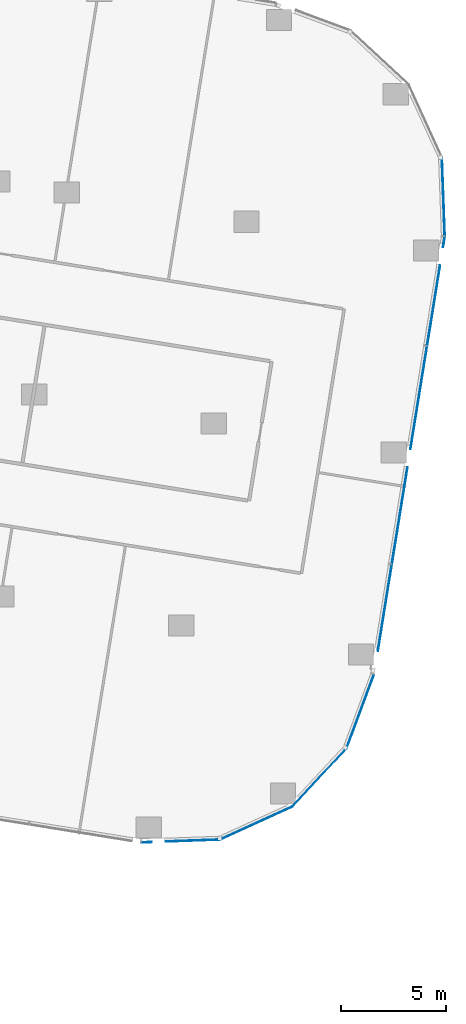
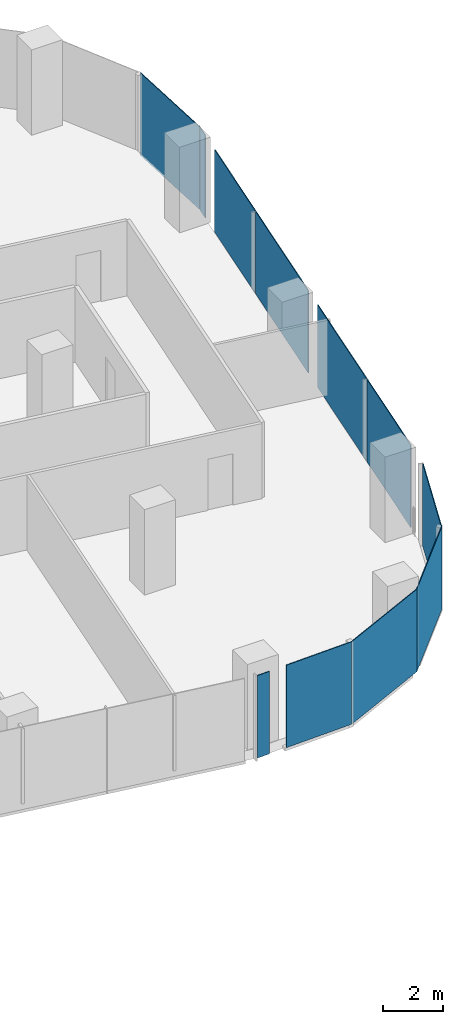
# One storey, part 22 of 34: 11 plates, 6 elements without a shape of their own.
"""IFC4 building model written with IfcOpenShell, lengths in metres."""

from ifc_helpers import new_model, si_unit, direction, frame, origin, origin_2d, place, context, subcontext, project, spatial, rectangle, extrude, material, layer, layer_set, type_object, element, aggregate, save


model = new_model("IFC4")

# Units and contexts
model_context = context("Model", 3, precision=1e-05, world=origin(), true_north=direction((0.0, 1.0)))
body_context = subcontext(model_context, "Body", "Model", "MODEL_VIEW")
ifc_project = project(units=[si_unit("LENGTHUNIT", "METRE"), si_unit("AREAUNIT", "SQUARE_METRE"), si_unit("VOLUMEUNIT", "CUBIC_METRE"), si_unit("PLANEANGLEUNIT", "RADIAN"), si_unit("MASSUNIT", "GRAM", prefix="KILO")], contexts=[model_context])

# Site, building, storey
site_placement = place(None, origin())
site = spatial("IfcSite", under=ifc_project, at=site_placement, CompositionType="ELEMENT")
building_placement = place(site_placement, origin())
building = spatial("IfcBuilding", under=site, at=building_placement, Name="Orlundy Tower", CompositionType="ELEMENT")
storey_placement = place(building_placement, frame((0.0, 0.0, 127.199951171875)))
storey = spatial("IfcBuildingStorey", under=building, at=storey_placement, Name="L32", CompositionType="ELEMENT", Elevation=127.199951171875)

# Curtain wall, plate
ifc_material_1 = material(Name="Aluminium bronze anodised", Category="aluminium")
curtain_wall_type = type_object("IfcCurtainWallType", Name="CW1 wall", PredefinedType="NOTDEFINED", material=ifc_material_1)
curtain_wall_1_placement = place(storey_placement, origin())
curtain_wall_1 = element("IfcCurtainWall", 1, at=curtain_wall_1_placement, inside=storey, type_object=curtain_wall_type, Name="CW1 run 010", PredefinedType="NOTDEFINED")
ifc_material_2 = material(Name="Tinted glass", Category="glass")
ifc_layer = layer(ifc_material_2, 0.031982421875)
ifc_layer_set = layer_set([ifc_layer], Name="CW1 glass panel 32")
plate_type = type_object("IfcPlateType", Name="CW1 glass panel 32", PredefinedType="CURTAIN_PANEL", material=ifc_layer_set)
plate_1_placement = place(storey_placement, frame((60.508544921875, 2.765625, -0.27978515625), z_axis=(0.0, 0.0, 1.0), x_axis=(0.036422900353, -0.999336466026, 0.0)))
plate_1 = element("IfcPlate", 2, at=plate_1_placement, type_object=plate_type, Name="CW1 panel", PredefinedType="CURTAIN_PANEL", context=body_context, shape_type="SweptSolid", body=[
    extrude(rectangle(XDim=3.730224609375, YDim=0.031982421875, at=origin_2d()), origin(), (0.0, 0.0, 1.0), 3.3798828125),
])
aggregate(curtain_wall_1, [plate_1])

# Curtain wall, plates
curtain_wall_2_placement = place(storey_placement, origin())
curtain_wall_2 = element("IfcCurtainWall", 3, at=curtain_wall_2_placement, inside=storey, type_object=curtain_wall_type, Name="CW1 run 011", PredefinedType="NOTDEFINED")
plate_2_placement = place(storey_placement, frame((60.533203125, 0.602783203125, -0.27978515625), z_axis=(0.0, 0.0, 1.0), x_axis=(-0.159331248677, -0.987225178566, 0.0)))
plate_2 = element("IfcPlate", 4, at=plate_2_placement, type_object=plate_type, Name="CW1 panel", PredefinedType="CURTAIN_PANEL", context=body_context, shape_type="SweptSolid", body=[
    extrude(rectangle(XDim=0.505126953125, YDim=0.031982421875, at=origin_2d()), origin(), (0.0, 0.0, 1.0), 3.3798828125),
])
plate_3_placement = place(storey_placement, frame((60.04833984375, -2.40234375, -0.27978515625), z_axis=(0.0, 0.0, 1.0), x_axis=(-0.159331248677, -0.987225178566, 0.0)))
plate_3 = element("IfcPlate", 5, at=plate_3_placement, type_object=plate_type, Name="CW1 panel", PredefinedType="CURTAIN_PANEL", context=body_context, shape_type="SweptSolid", body=[
    extrude(rectangle(XDim=3.839599609375, YDim=0.031982421875, at=origin_2d()), origin(), (0.0, 0.0, 1.0), 3.3798828125),
])
plate_4_placement = place(storey_placement, frame((59.34130859375, -6.783203125, -0.27978515625), z_axis=(0.0, 0.0, 1.0), x_axis=(-0.159331248677, -0.987225178566, 0.0)))
plate_4 = element("IfcPlate", 6, at=plate_4_placement, type_object=plate_type, Name="CW1 panel", PredefinedType="CURTAIN_PANEL", context=body_context, shape_type="SweptSolid", body=[
    extrude(rectangle(XDim=4.935791015625, YDim=0.031982421875, at=origin_2d()), origin(), (0.0, 0.0, 1.0), 3.3798828125),
])
plate_5_placement = place(storey_placement, frame((58.43896484375, -12.373291015625, -0.27978515625), z_axis=(0.0, 0.0, 1.0), x_axis=(-0.159331248677, -0.987225178566, 0.0)))
plate_5 = element("IfcPlate", 7, at=plate_5_placement, type_object=plate_type, Name="CW1 panel", PredefinedType="CURTAIN_PANEL", context=body_context, shape_type="SweptSolid", body=[
    extrude(rectangle(XDim=4.6396484375, YDim=0.031982421875, at=origin_2d()), origin(), (0.0, 0.0, 1.0), 3.3798828125),
])
plate_6_placement = place(storey_placement, frame((57.732177734375, -16.752685546875, -0.27978515625), z_axis=(0.0, 0.0, 1.0), x_axis=(-0.159331248677, -0.987225178566, 0.0)))
plate_6 = element("IfcPlate", 8, at=plate_6_placement, type_object=plate_type, Name="CW1 panel", PredefinedType="CURTAIN_PANEL", context=body_context, shape_type="SweptSolid", body=[
    extrude(rectangle(XDim=4.13232421875, YDim=0.031982421875, at=origin_2d()), origin(), (0.0, 0.0, 1.0), 3.3798828125),
])
aggregate(curtain_wall_2, [plate_2, plate_3, plate_4, plate_5, plate_6])

# Curtain wall, plate
curtain_wall_3_placement = place(storey_placement, origin())
curtain_wall_3 = element("IfcCurtainWall", 9, at=curtain_wall_3_placement, inside=storey, type_object=curtain_wall_type, Name="CW1 run 012", PredefinedType="NOTDEFINED")
plate_7_placement = place(storey_placement, frame((56.56689453125, -21.65869140625, -0.27978515625), z_axis=(0.0, 0.0, 1.0), x_axis=(-0.348816372674, -0.937191089455, 0.0)))
plate_7 = element("IfcPlate", 10, at=plate_7_placement, type_object=plate_type, Name="CW1 panel", PredefinedType="CURTAIN_PANEL", context=body_context, shape_type="SweptSolid", body=[
    extrude(rectangle(XDim=3.73046875, YDim=0.031982421875, at=origin_2d()), origin(), (0.0, 0.0, 1.0), 3.3798828125),
])
aggregate(curtain_wall_3, [plate_7])

curtain_wall_4_placement = place(storey_placement, origin())
curtain_wall_4 = element("IfcCurtainWall", 11, at=curtain_wall_4_placement, inside=storey, type_object=curtain_wall_type, Name="CW1 run 013", PredefinedType="NOTDEFINED")
plate_8_placement = place(storey_placement, frame((54.632080078125, -24.78759765625, -0.27978515625), z_axis=(0.0, 0.0, 1.0), x_axis=(-0.681009748469, -0.732274349196, 0.0)))
plate_8 = element("IfcPlate", 12, at=plate_8_placement, type_object=plate_type, Name="CW1 panel", PredefinedType="CURTAIN_PANEL", context=body_context, shape_type="SweptSolid", body=[
    extrude(rectangle(XDim=3.771484375, YDim=0.031982421875, at=origin_2d()), origin(), (0.0, 0.0, 1.0), 3.3798828125),
])
aggregate(curtain_wall_4, [plate_8])

curtain_wall_5_placement = place(storey_placement, origin())
curtain_wall_5 = element("IfcCurtainWall", 13, at=curtain_wall_5_placement, inside=storey, type_object=curtain_wall_type, Name="CW1 run 014", PredefinedType="NOTDEFINED")
plate_9_placement = place(storey_placement, frame((51.63330078125, -26.953125, -0.27978515625), z_axis=(0.0, 0.0, 1.0), x_axis=(-0.909328663876, -0.416078575575, 0.0)))
plate_9 = element("IfcPlate", 14, at=plate_9_placement, type_object=plate_type, Name="CW1 panel", PredefinedType="CURTAIN_PANEL", context=body_context, shape_type="SweptSolid", body=[
    extrude(rectangle(XDim=3.771240234375, YDim=0.031982421875, at=origin_2d()), origin(), (0.0, 0.0, 1.0), 3.3798828125),
])
aggregate(curtain_wall_5, [plate_9])

# Curtain wall, plates
curtain_wall_6_placement = place(storey_placement, origin())
curtain_wall_6 = element("IfcCurtainWall", 15, at=curtain_wall_6_placement, inside=storey, type_object=curtain_wall_type, Name="CW1 run 015", PredefinedType="NOTDEFINED")
plate_10_placement = place(storey_placement, frame((48.626708984375, -27.78466796875, -0.27978515625), z_axis=(0.0, 0.0, 1.0), x_axis=(-0.999336823804, -0.036413082656, 0.0)))
plate_10 = element("IfcPlate", 16, at=plate_10_placement, type_object=plate_type, Name="CW1 panel", PredefinedType="CURTAIN_PANEL", context=body_context, shape_type="SweptSolid", body=[
    extrude(rectangle(XDim=2.585205078125, YDim=0.031982421875, at=origin_2d()), origin(), (0.0, 0.0, 1.0), 3.3798828125),
])
plate_11_placement = place(storey_placement, frame((46.430908203125, -27.86474609375, -0.27978515625), z_axis=(0.0, 0.0, 1.0), x_axis=(-0.999336823804, -0.036413082656, 0.0)))
plate_11 = element("IfcPlate", 17, at=plate_11_placement, type_object=plate_type, Name="CW1 panel", PredefinedType="CURTAIN_PANEL", context=body_context, shape_type="SweptSolid", body=[
    extrude(rectangle(XDim=0.482421875, YDim=0.031982421875, at=origin_2d()), origin(), (0.0, 0.0, 1.0), 3.3798828125),
])
aggregate(curtain_wall_6, [plate_10, plate_11])

save(model, "model.ifc")
